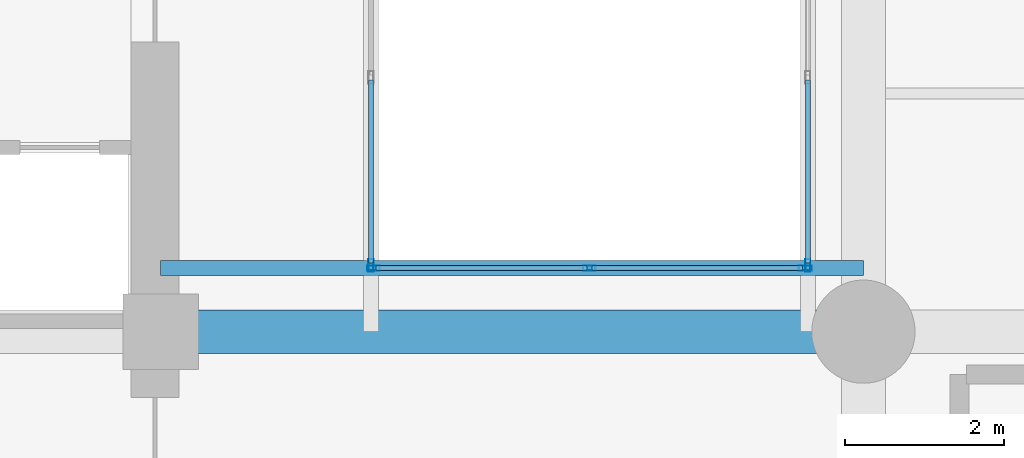
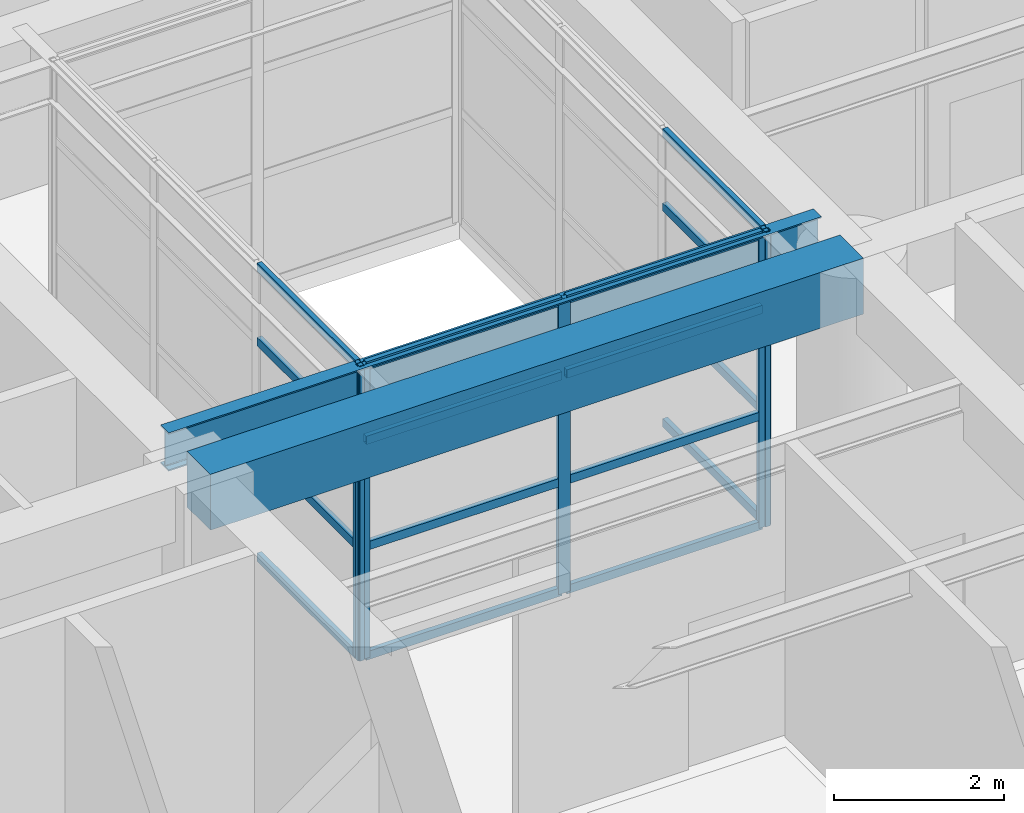
# One storey, part 2 of 13: 21 members, 2 beams, 3 elements without a shape of their own.
"""IFC4 building model written with IfcOpenShell, lengths in metres."""

from ifc_helpers import new_model, si_unit, direction, frame, origin, origin_2d, place, context, subcontext, project, spatial, rectangle, hollow_rectangle, i_section, extrude, material, layer, layer_set, material_profile, profile_set, type_object, element, aggregate, save


model = new_model("IFC4")

# Units and contexts
model_context = context("Model", 3, precision=1e-05, world=origin(), true_north=direction((0.0, 1.0)))
body_context = subcontext(model_context, "Body", "Model", "MODEL_VIEW")
ifc_project = project(units=[si_unit("LENGTHUNIT", "METRE"), si_unit("AREAUNIT", "SQUARE_METRE"), si_unit("VOLUMEUNIT", "CUBIC_METRE"), si_unit("PLANEANGLEUNIT", "RADIAN"), si_unit("MASSUNIT", "GRAM", prefix="KILO")], contexts=[model_context])

# Site, building, storey
site_placement = place(None, origin())
site = spatial("IfcSite", under=ifc_project, at=site_placement, CompositionType="ELEMENT")
building_placement = place(site_placement, origin())
building = spatial("IfcBuilding", under=site, at=building_placement, Name="Kundavana Baori Tower", CompositionType="ELEMENT")
storey_placement = place(building_placement, frame((0.0, 0.0, 17.0)))
storey = spatial("IfcBuildingStorey", under=building, at=storey_placement, Name="L03", CompositionType="ELEMENT", Elevation=17.0)

# Beams
ifc_material_1 = material(Name="Concrete C50/60", Category="concrete")
ifc_material_profile_1 = material_profile(ifc_material_1, rectangle(XDim=0.550048828125, YDim=0.800048828125, at=origin_2d()), Name="RC BM 550x800")
ifc_profile_set_1 = profile_set([ifc_material_profile_1], Name="Concrete C50/60")
beam_type_1 = type_object("IfcBeamType", Name="BM-RC-800", PredefinedType="BEAM", material=ifc_profile_set_1)
beam_1_placement = place(storey_placement, frame((24.949951171875, 24.199951171875, 3.820068359375), z_axis=(1.0, 0.0, 0.0), x_axis=(0.0, 1.0, 0.0)))
element("IfcBeam", 1, at=beam_1_placement, inside=storey, type_object=beam_type_1, Name="L03 Primary Grid Girder GX-2-2", PredefinedType="BEAM", context=body_context, shape_type="SweptSolid", body=[
    extrude(rectangle(XDim=0.550048828125, YDim=0.800048828125, at=origin_2d()), origin(), (0.0, 0.0, 1.0), 8.85009765625),
])
ifc_material_2 = material(Name="Structural Steel S355JR", Category="steel")
ifc_material_profile_2 = material_profile(ifc_material_2, i_section(OverallWidth=0.18994140625, OverallDepth=0.550048828125, WebThickness=0.01123046875, FlangeThickness=0.019287109375, FilletRadius=0.01806640625, at=origin_2d()), Name="ISMB 550")
ifc_profile_set_2 = profile_set([ifc_material_profile_2], Name="Structural Steel S355JR")
beam_type_2 = type_object("IfcBeamType", Name="BM-ST-550", PredefinedType="BEAM", material=ifc_profile_set_2)
beam_2_placement = place(storey_placement, frame((24.949951171875, 25.0, 3.945068359375), z_axis=(1.0, 0.0, 0.0), x_axis=(0.0, 1.0, 0.0)))
element("IfcBeam", 2, at=beam_2_placement, inside=storey, type_object=beam_type_2, Name="L03 Atrium South Edge Beam", PredefinedType="BEAM", context=body_context, shape_type="SweptSolid", body=[
    extrude(i_section(OverallWidth=0.18994140625, OverallDepth=0.550048828125, WebThickness=0.01123046875, FlangeThickness=0.019287109375, FilletRadius=0.01806640625, at=origin_2d()), origin(), (0.0, 0.0, 1.0), 8.85009765625),
])

# Curtain wall, members
ifc_material_3 = material(Name="Thermally Broken Anodised Aluminium Framing", Category="aluminium")
ifc_layer = layer(ifc_material_3, 0.175048828125, Name="CW-SYS-2")
ifc_layer_set = layer_set([ifc_layer], Name="Thermally Broken Anodised Aluminium Framing")
curtain_wall_type = type_object("IfcCurtainWallType", Name="CW-SYS-2", PredefinedType="NOTDEFINED", material=ifc_layer_set)
curtain_wall_1_placement = place(storey_placement, origin())
curtain_wall_1 = element("IfcCurtainWall", 3, at=curtain_wall_1_placement, inside=storey, type_object=curtain_wall_type, Name="L03 Atrium Glazed Curtain Wall S", PredefinedType="NOTDEFINED")
ifc_material_4 = material(Name="Thermally Broken Anodised Aluminium Framing", Category="aluminium")
ifc_material_profile_3 = material_profile(ifc_material_4, hollow_rectangle(XDim=0.06494140625, YDim=0.159912109375, WallThickness=0.00390625, at=origin_2d()), Name="CW-MULL-160")
ifc_profile_set_3 = profile_set([ifc_material_profile_3], Name="Thermally Broken Anodised Aluminium Framing")
member_type_1 = type_object("IfcMemberType", Name="CW-MULL-160", PredefinedType="MULLION", material=ifc_profile_set_3)
member_1_placement = place(storey_placement, frame((27.632568359375, 25.0, 0.0), z_axis=(0.0, 0.0, 1.0), x_axis=(0.0, 1.0, 0.0)))
member_1 = element("IfcMember", 4, at=member_1_placement, type_object=member_type_1, Name="CW2 mullion 1", PredefinedType="MULLION", context=body_context, shape_type="SweptSolid", body=[
    extrude(hollow_rectangle(XDim=0.06494140625, YDim=0.159912109375, WallThickness=0.00390625, at=origin_2d()), origin(), (0.0, 0.0, 1.0), 4.219970703125),
])
member_2_placement = place(storey_placement, frame((30.35009765625, 25.0, 0.0), z_axis=(0.0, 0.0, 1.0), x_axis=(0.0, 1.0, 0.0)))
member_2 = element("IfcMember", 5, at=member_2_placement, type_object=member_type_1, Name="CW2 mullion 2", PredefinedType="MULLION", context=body_context, shape_type="SweptSolid", body=[
    extrude(hollow_rectangle(XDim=0.06494140625, YDim=0.159912109375, WallThickness=0.00390625, at=origin_2d()), origin(), (0.0, 0.0, 1.0), 4.219970703125),
])
member_3_placement = place(storey_placement, frame((33.0673828125, 25.0, 0.0), z_axis=(0.0, 0.0, 1.0), x_axis=(0.0, 1.0, 0.0)))
member_3 = element("IfcMember", 6, at=member_3_placement, type_object=member_type_1, Name="CW2 mullion 3", PredefinedType="MULLION", context=body_context, shape_type="SweptSolid", body=[
    extrude(hollow_rectangle(XDim=0.06494140625, YDim=0.159912109375, WallThickness=0.00390625, at=origin_2d()), origin(), (0.0, 0.0, 1.0), 4.219970703125),
])

# Curtain wall, member
curtain_wall_2_placement = place(storey_placement, origin())
curtain_wall_2 = element("IfcCurtainWall", 7, at=curtain_wall_2_placement, inside=storey, type_object=curtain_wall_type, Name="L03 Atrium Glazed Curtain Wall E", PredefinedType="NOTDEFINED")
member_4_placement = place(storey_placement, frame((33.10009765625, 25.032470703125, 0.0), z_axis=(0.0, 0.0, 1.0), x_axis=(-1.0, 0.0, 0.0)))
member_4 = element("IfcMember", 8, at=member_4_placement, type_object=member_type_1, Name="CW2 mullion 1", PredefinedType="MULLION", context=body_context, shape_type="SweptSolid", body=[
    extrude(hollow_rectangle(XDim=0.06494140625, YDim=0.159912109375, WallThickness=0.00390625, at=origin_2d()), origin(), (0.0, 0.0, 1.0), 4.219970703125),
])

curtain_wall_3_placement = place(storey_placement, origin())
curtain_wall_3 = element("IfcCurtainWall", 9, at=curtain_wall_3_placement, inside=storey, type_object=curtain_wall_type, Name="L03 Atrium Glazed Curtain Wall W", PredefinedType="NOTDEFINED")
member_5_placement = place(storey_placement, frame((27.60009765625, 25.032470703125, 0.0), z_axis=(0.0, 0.0, 1.0), x_axis=(1.0, 0.0, 0.0)))
member_5 = element("IfcMember", 10, at=member_5_placement, type_object=member_type_1, Name="CW2 mullion 4", PredefinedType="MULLION", context=body_context, shape_type="SweptSolid", body=[
    extrude(hollow_rectangle(XDim=0.06494140625, YDim=0.159912109375, WallThickness=0.00390625, at=origin_2d()), origin(), (0.0, 0.0, 1.0), 4.219970703125),
])

# Member
ifc_material_5 = material(Name="Thermally Broken Anodised Aluminium Framing", Category="aluminium")
ifc_material_profile_4 = material_profile(ifc_material_5, hollow_rectangle(XDim=0.06494140625, YDim=0.1201171875, WallThickness=0.00390625, at=origin_2d()), Name="CW-TRAN-120")
ifc_profile_set_4 = profile_set([ifc_material_profile_4], Name="Thermally Broken Anodised Aluminium Framing")
member_type_2 = type_object("IfcMemberType", Name="CW-TRAN-120", PredefinedType="USERDEFINED", material=ifc_profile_set_4)
member_6_placement = place(storey_placement, frame((27.6650390625, 25.0, 0.032470703125), z_axis=(1.0, 0.0, 0.0), x_axis=(0.0, 1.0, 0.0)))
member_6 = element("IfcMember", 11, at=member_6_placement, type_object=member_type_2, Name="CW2 transom 1.1", ObjectType="TRANSOM", PredefinedType="USERDEFINED", context=body_context, shape_type="SweptSolid", body=[
    extrude(hollow_rectangle(XDim=0.06494140625, YDim=0.1201171875, WallThickness=0.00390625, at=origin_2d()), origin(), (0.0, 0.0, 1.0), 2.65234375),
])

member_7_placement = place(storey_placement, frame((27.6650390625, 25.0, 1.603515625), z_axis=(1.0, 0.0, 0.0), x_axis=(0.0, 1.0, 0.0)))
member_7 = element("IfcMember", 12, at=member_7_placement, type_object=member_type_2, Name="CW2 transom 1.2", ObjectType="TRANSOM", PredefinedType="USERDEFINED", context=body_context, shape_type="SweptSolid", body=[
    extrude(hollow_rectangle(XDim=0.06494140625, YDim=0.1201171875, WallThickness=0.00390625, at=origin_2d()), origin(), (0.0, 0.0, 1.0), 2.65234375),
])

member_8_placement = place(storey_placement, frame((27.6650390625, 25.0, 3.122802734375), z_axis=(1.0, 0.0, 0.0), x_axis=(0.0, 1.0, 0.0)))
member_8 = element("IfcMember", 13, at=member_8_placement, type_object=member_type_2, Name="CW2 transom 1.3", ObjectType="TRANSOM", PredefinedType="USERDEFINED", context=body_context, shape_type="SweptSolid", body=[
    extrude(hollow_rectangle(XDim=0.06494140625, YDim=0.1201171875, WallThickness=0.00390625, at=origin_2d()), origin(), (0.0, 0.0, 1.0), 2.65234375),
])

member_9_placement = place(storey_placement, frame((27.6650390625, 25.0, 4.1875), z_axis=(1.0, 0.0, 0.0), x_axis=(0.0, 1.0, 0.0)))
member_9 = element("IfcMember", 14, at=member_9_placement, type_object=member_type_2, Name="CW2 transom 1.4", ObjectType="TRANSOM", PredefinedType="USERDEFINED", context=body_context, shape_type="SweptSolid", body=[
    extrude(hollow_rectangle(XDim=0.06494140625, YDim=0.1201171875, WallThickness=0.00390625, at=origin_2d()), origin(), (0.0, 0.0, 1.0), 2.65234375),
])

member_10_placement = place(storey_placement, frame((30.382568359375, 25.0, 0.032470703125), z_axis=(1.0, 0.0, 0.0), x_axis=(0.0, 1.0, 0.0)))
member_10 = element("IfcMember", 15, at=member_10_placement, type_object=member_type_2, Name="CW2 transom 2.1", ObjectType="TRANSOM", PredefinedType="USERDEFINED", context=body_context, shape_type="SweptSolid", body=[
    extrude(hollow_rectangle(XDim=0.06494140625, YDim=0.1201171875, WallThickness=0.00390625, at=origin_2d()), origin(), (0.0, 0.0, 1.0), 2.65234375),
])

member_11_placement = place(storey_placement, frame((30.382568359375, 25.0, 1.603515625), z_axis=(1.0, 0.0, 0.0), x_axis=(0.0, 1.0, 0.0)))
member_11 = element("IfcMember", 16, at=member_11_placement, type_object=member_type_2, Name="CW2 transom 2.2", ObjectType="TRANSOM", PredefinedType="USERDEFINED", context=body_context, shape_type="SweptSolid", body=[
    extrude(hollow_rectangle(XDim=0.06494140625, YDim=0.1201171875, WallThickness=0.00390625, at=origin_2d()), origin(), (0.0, 0.0, 1.0), 2.65234375),
])

member_12_placement = place(storey_placement, frame((30.382568359375, 25.0, 3.122802734375), z_axis=(1.0, 0.0, 0.0), x_axis=(0.0, 1.0, 0.0)))
member_12 = element("IfcMember", 17, at=member_12_placement, type_object=member_type_2, Name="CW2 transom 2.3", ObjectType="TRANSOM", PredefinedType="USERDEFINED", context=body_context, shape_type="SweptSolid", body=[
    extrude(hollow_rectangle(XDim=0.06494140625, YDim=0.1201171875, WallThickness=0.00390625, at=origin_2d()), origin(), (0.0, 0.0, 1.0), 2.65234375),
])

member_13_placement = place(storey_placement, frame((30.382568359375, 25.0, 4.1875), z_axis=(1.0, 0.0, 0.0), x_axis=(0.0, 1.0, 0.0)))
member_13 = element("IfcMember", 18, at=member_13_placement, type_object=member_type_2, Name="CW2 transom 2.4", ObjectType="TRANSOM", PredefinedType="USERDEFINED", context=body_context, shape_type="SweptSolid", body=[
    extrude(hollow_rectangle(XDim=0.06494140625, YDim=0.1201171875, WallThickness=0.00390625, at=origin_2d()), origin(), (0.0, 0.0, 1.0), 2.65234375),
])

aggregate(curtain_wall_1, [member_1, member_2, member_3, member_6, member_7, member_8, member_9, member_10, member_11, member_12, member_13])

member_14_placement = place(storey_placement, frame((33.10009765625, 25.06494140625, 0.032470703125), z_axis=(0.0, 1.0, 0.0), x_axis=(-1.0, 0.0, 0.0)))
member_14 = element("IfcMember", 19, at=member_14_placement, type_object=member_type_2, Name="CW2 transom 1.1", ObjectType="TRANSOM", PredefinedType="USERDEFINED", context=body_context, shape_type="SweptSolid", body=[
    extrude(hollow_rectangle(XDim=0.06494140625, YDim=0.1201171875, WallThickness=0.00390625, at=origin_2d()), origin(), (0.0, 0.0, 1.0), 2.302490234375),
])

member_15_placement = place(storey_placement, frame((33.10009765625, 25.06494140625, 1.603515625), z_axis=(0.0, 1.0, 0.0), x_axis=(-1.0, 0.0, 0.0)))
member_15 = element("IfcMember", 20, at=member_15_placement, type_object=member_type_2, Name="CW2 transom 1.2", ObjectType="TRANSOM", PredefinedType="USERDEFINED", context=body_context, shape_type="SweptSolid", body=[
    extrude(hollow_rectangle(XDim=0.06494140625, YDim=0.1201171875, WallThickness=0.00390625, at=origin_2d()), origin(), (0.0, 0.0, 1.0), 2.302490234375),
])

member_16_placement = place(storey_placement, frame((33.10009765625, 25.06494140625, 3.122802734375), z_axis=(0.0, 1.0, 0.0), x_axis=(-1.0, 0.0, 0.0)))
member_16 = element("IfcMember", 21, at=member_16_placement, type_object=member_type_2, Name="CW2 transom 1.3", ObjectType="TRANSOM", PredefinedType="USERDEFINED", context=body_context, shape_type="SweptSolid", body=[
    extrude(hollow_rectangle(XDim=0.06494140625, YDim=0.1201171875, WallThickness=0.00390625, at=origin_2d()), origin(), (0.0, 0.0, 1.0), 2.302490234375),
])

member_17_placement = place(storey_placement, frame((33.10009765625, 25.06494140625, 4.1875), z_axis=(0.0, 1.0, 0.0), x_axis=(-1.0, 0.0, 0.0)))
member_17 = element("IfcMember", 22, at=member_17_placement, type_object=member_type_2, Name="CW2 transom 1.4", ObjectType="TRANSOM", PredefinedType="USERDEFINED", context=body_context, shape_type="SweptSolid", body=[
    extrude(hollow_rectangle(XDim=0.06494140625, YDim=0.1201171875, WallThickness=0.00390625, at=origin_2d()), origin(), (0.0, 0.0, 1.0), 2.302490234375),
])

aggregate(curtain_wall_2, [member_4, member_14, member_15, member_16, member_17])

member_18_placement = place(storey_placement, frame((27.60009765625, 27.367431640625, 0.032470703125), z_axis=(0.0, -1.0, 0.0), x_axis=(1.0, 0.0, 0.0)))
member_18 = element("IfcMember", 23, at=member_18_placement, type_object=member_type_2, Name="CW2 transom 3.1", ObjectType="TRANSOM", PredefinedType="USERDEFINED", context=body_context, shape_type="SweptSolid", body=[
    extrude(hollow_rectangle(XDim=0.06494140625, YDim=0.1201171875, WallThickness=0.00390625, at=origin_2d()), origin(), (0.0, 0.0, 1.0), 2.302490234375),
])

member_19_placement = place(storey_placement, frame((27.60009765625, 27.367431640625, 1.603515625), z_axis=(0.0, -1.0, 0.0), x_axis=(1.0, 0.0, 0.0)))
member_19 = element("IfcMember", 24, at=member_19_placement, type_object=member_type_2, Name="CW2 transom 3.2", ObjectType="TRANSOM", PredefinedType="USERDEFINED", context=body_context, shape_type="SweptSolid", body=[
    extrude(hollow_rectangle(XDim=0.06494140625, YDim=0.1201171875, WallThickness=0.00390625, at=origin_2d()), origin(), (0.0, 0.0, 1.0), 2.302490234375),
])

member_20_placement = place(storey_placement, frame((27.60009765625, 27.367431640625, 3.122802734375), z_axis=(0.0, -1.0, 0.0), x_axis=(1.0, 0.0, 0.0)))
member_20 = element("IfcMember", 25, at=member_20_placement, type_object=member_type_2, Name="CW2 transom 3.3", ObjectType="TRANSOM", PredefinedType="USERDEFINED", context=body_context, shape_type="SweptSolid", body=[
    extrude(hollow_rectangle(XDim=0.06494140625, YDim=0.1201171875, WallThickness=0.00390625, at=origin_2d()), origin(), (0.0, 0.0, 1.0), 2.302490234375),
])

member_21_placement = place(storey_placement, frame((27.60009765625, 27.367431640625, 4.1875), z_axis=(0.0, -1.0, 0.0), x_axis=(1.0, 0.0, 0.0)))
member_21 = element("IfcMember", 26, at=member_21_placement, type_object=member_type_2, Name="CW2 transom 3.4", ObjectType="TRANSOM", PredefinedType="USERDEFINED", context=body_context, shape_type="SweptSolid", body=[
    extrude(hollow_rectangle(XDim=0.06494140625, YDim=0.1201171875, WallThickness=0.00390625, at=origin_2d()), origin(), (0.0, 0.0, 1.0), 2.302490234375),
])

aggregate(curtain_wall_3, [member_5, member_18, member_19, member_20, member_21])

save(model, "model.ifc")
